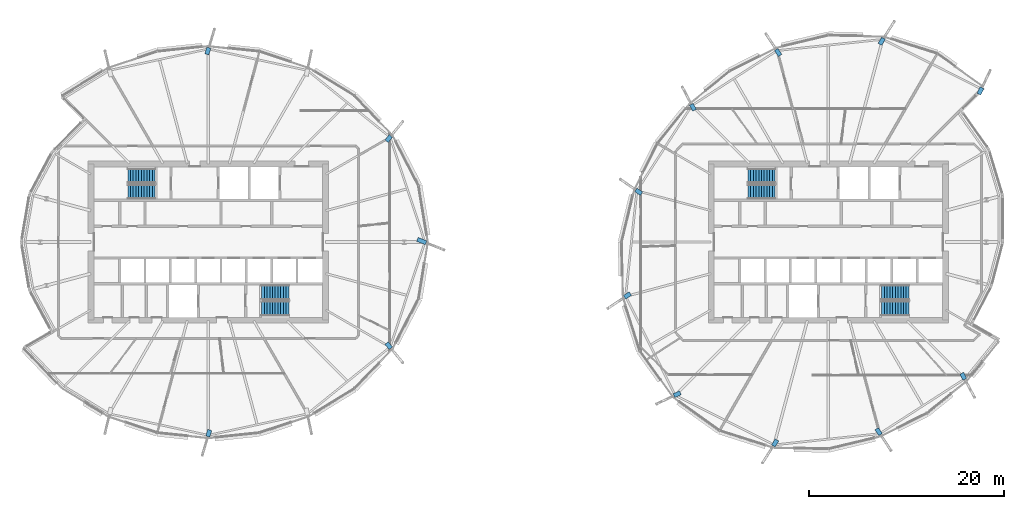
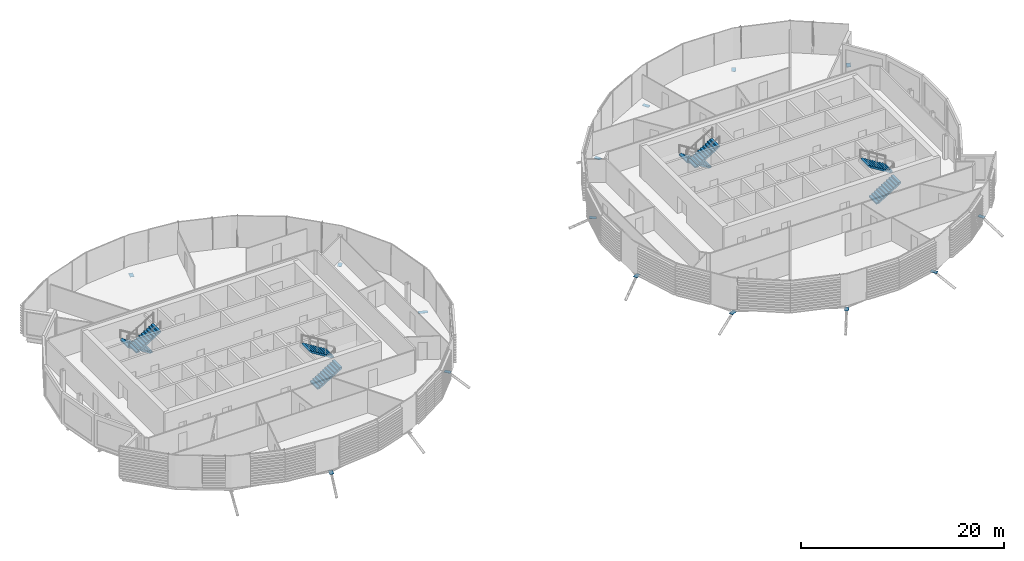
# One storey, part 25 of 37: 15 discrete accessories, 8 stair flights, 4 elements without a shape of their own.
"""IFC4 building model written with IfcOpenShell, lengths in metres."""

from ifc_helpers import new_model, si_unit, direction, frame, origin, origin_2d, place, context, subcontext, project, spatial, polyline, rectangle, outline, extrude, material, material_profile, profile_set, type_object, element, aggregate, save


model = new_model("IFC4")

# Units and contexts
model_context = context("Model", 3, precision=1e-05, world=origin(), true_north=direction((0.0, 1.0)))
body_context = subcontext(model_context, "Body", "Model", "MODEL_VIEW")
ifc_project = project(units=[si_unit("LENGTHUNIT", "METRE"), si_unit("AREAUNIT", "SQUARE_METRE"), si_unit("VOLUMEUNIT", "CUBIC_METRE"), si_unit("PLANEANGLEUNIT", "RADIAN"), si_unit("MASSUNIT", "GRAM", prefix="KILO")], contexts=[model_context])

# Site, building, storey
site_placement = place(None, origin())
site = spatial("IfcSite", under=ifc_project, at=site_placement, CompositionType="ELEMENT")
building_placement = place(site_placement, origin())
building = spatial("IfcBuilding", under=site, at=building_placement, Name="Rimbun Link Towers", CompositionType="ELEMENT")
storey_placement = place(building_placement, frame((0.0, 0.0, 162.699951171875)))
storey = spatial("IfcBuildingStorey", under=building, at=storey_placement, Name="L39", CompositionType="ELEMENT", Elevation=162.699951171875)

# Stair, stair flights
ifc_material_1 = material(Name="Concrete C40/50", Category="concrete")
stair_type = type_object("IfcStairType", Name="Exit stair 3800 rise", PredefinedType="HALF_TURN_STAIR", material=ifc_material_1)
stair_1_placement = place(storey_placement, origin())
stair_1 = element("IfcStair", 1, at=stair_1_placement, inside=storey, type_object=stair_type, Name="L39 EXIT STAIR A", PredefinedType="HALF_TURN_STAIR")
ifc_material_2 = material(Name="Concrete C40/50", Category="concrete")
stair_flight_type = type_object("IfcStairFlightType", Name="Exit stair flight 3800 rise", PredefinedType="STRAIGHT", material=ifc_material_2)
stair_flight_1_placement = place(storey_placement, frame((-37.199951171875, 6.800048828125, 0.0), z_axis=(0.0, 0.0, 1.0), x_axis=(-1.0, 0.0, 0.0)))
stair_flight_1 = element("IfcStairFlight", 2, at=stair_flight_1_placement, type_object=stair_flight_type, Name="ST1 flight 1", NumberOfRisers=11, NumberOfTreads=10, PredefinedType="STRAIGHT", RiserHeight=0.172727273, TreadLength=0.28, context=body_context, shape_type="SweptSolid", body=[
    extrude(outline(polyline([(0.0, 0.0), (0.0, 0.172607421875), (0.280029296875, 0.172607421875), (0.280029296875, 0.345458984375), (0.56005859375, 0.345458984375), (0.56005859375, 0.51806640625), (0.840087890625, 0.51806640625), (0.840087890625, 0.69091796875), (1.1201171875, 0.69091796875), (1.1201171875, 0.863525390625), (1.39990234375, 0.863525390625), (1.39990234375, 1.036376953125), (1.679931640625, 1.036376953125), (1.679931640625, 1.208984375), (1.9599609375, 1.208984375), (1.9599609375, 1.3818359375), (2.239990234375, 1.3818359375), (2.239990234375, 1.554443359375), (2.52001953125, 1.554443359375), (2.52001953125, 1.727294921875), (2.800048828125, 1.727294921875), (2.800048828125, 1.89990234375), (2.800048828125, 1.551025390625), (0.280029296875, 0.0), (0.0, 0.0)])), frame((0.0, 0.75, 0.0), z_axis=(0.0, -1.0, 0.0), x_axis=(1.0, 0.0, 0.0)), (0.0, 0.0, 1.0), 1.5),
])
stair_flight_2_placement = place(storey_placement, frame((-40.0, 5.14990234375, 1.900146484375), z_axis=(0.0, 0.0, 1.0), x_axis=(1.0, 0.0, 0.0)))
stair_flight_2 = element("IfcStairFlight", 3, at=stair_flight_2_placement, type_object=stair_flight_type, Name="ST1 flight 2", NumberOfRisers=11, NumberOfTreads=10, PredefinedType="STRAIGHT", RiserHeight=0.172727273, TreadLength=0.28, context=body_context, shape_type="SweptSolid", body=[
    extrude(outline(polyline([(0.0, 0.0), (0.0, 0.172607421875), (0.280029296875, 0.172607421875), (0.280029296875, 0.345458984375), (0.56005859375, 0.345458984375), (0.56005859375, 0.51806640625), (0.840087890625, 0.51806640625), (0.840087890625, 0.69091796875), (1.1201171875, 0.69091796875), (1.1201171875, 0.863525390625), (1.39990234375, 0.863525390625), (1.39990234375, 1.036376953125), (1.679931640625, 1.036376953125), (1.679931640625, 1.208984375), (1.9599609375, 1.208984375), (1.9599609375, 1.3818359375), (2.239990234375, 1.3818359375), (2.239990234375, 1.554443359375), (2.52001953125, 1.554443359375), (2.52001953125, 1.727294921875), (2.800048828125, 1.727294921875), (2.800048828125, 1.89990234375), (2.800048828125, 1.551025390625), (0.280029296875, 0.0), (0.0, 0.0)])), frame((0.0, 0.75, 0.0), z_axis=(0.0, -1.0, 0.0), x_axis=(1.0, 0.0, 0.0)), (0.0, 0.0, 1.0), 1.5),
])
aggregate(stair_1, [stair_flight_1, stair_flight_2])

stair_2_placement = place(storey_placement, origin())
stair_2 = element("IfcStair", 4, at=stair_2_placement, inside=storey, type_object=stair_type, Name="L39 EXIT STAIR B", PredefinedType="HALF_TURN_STAIR")
stair_flight_3_placement = place(storey_placement, frame((-26.300048828125, -6.800048828125, 0.0), z_axis=(0.0, 0.0, 1.0), x_axis=(1.0, 0.0, 0.0)))
stair_flight_3 = element("IfcStairFlight", 5, at=stair_flight_3_placement, type_object=stair_flight_type, Name="ST2 flight 1", NumberOfRisers=11, NumberOfTreads=10, PredefinedType="STRAIGHT", RiserHeight=0.172727273, TreadLength=0.28, context=body_context, shape_type="SweptSolid", body=[
    extrude(outline(polyline([(0.0, 0.0), (0.0, 0.172607421875), (0.280029296875, 0.172607421875), (0.280029296875, 0.345458984375), (0.56005859375, 0.345458984375), (0.56005859375, 0.51806640625), (0.840087890625, 0.51806640625), (0.840087890625, 0.69091796875), (1.1201171875, 0.69091796875), (1.1201171875, 0.863525390625), (1.39990234375, 0.863525390625), (1.39990234375, 1.036376953125), (1.679931640625, 1.036376953125), (1.679931640625, 1.208984375), (1.9599609375, 1.208984375), (1.9599609375, 1.3818359375), (2.239990234375, 1.3818359375), (2.239990234375, 1.554443359375), (2.52001953125, 1.554443359375), (2.52001953125, 1.727294921875), (2.800048828125, 1.727294921875), (2.800048828125, 1.89990234375), (2.800048828125, 1.551025390625), (0.280029296875, 0.0), (0.0, 0.0)])), frame((0.0, 0.75, 0.0), z_axis=(0.0, -1.0, 0.0), x_axis=(1.0, 0.0, 0.0)), (0.0, 0.0, 1.0), 1.5),
])
stair_flight_4_placement = place(storey_placement, frame((-23.5, -5.14990234375, 1.900146484375), z_axis=(0.0, 0.0, 1.0), x_axis=(-1.0, 0.0, 0.0)))
stair_flight_4 = element("IfcStairFlight", 6, at=stair_flight_4_placement, type_object=stair_flight_type, Name="ST2 flight 2", NumberOfRisers=11, NumberOfTreads=10, PredefinedType="STRAIGHT", RiserHeight=0.172727273, TreadLength=0.28, context=body_context, shape_type="SweptSolid", body=[
    extrude(outline(polyline([(0.0, 0.0), (0.0, 0.172607421875), (0.280029296875, 0.172607421875), (0.280029296875, 0.345458984375), (0.56005859375, 0.345458984375), (0.56005859375, 0.51806640625), (0.840087890625, 0.51806640625), (0.840087890625, 0.69091796875), (1.1201171875, 0.69091796875), (1.1201171875, 0.863525390625), (1.39990234375, 0.863525390625), (1.39990234375, 1.036376953125), (1.679931640625, 1.036376953125), (1.679931640625, 1.208984375), (1.9599609375, 1.208984375), (1.9599609375, 1.3818359375), (2.239990234375, 1.3818359375), (2.239990234375, 1.554443359375), (2.52001953125, 1.554443359375), (2.52001953125, 1.727294921875), (2.800048828125, 1.727294921875), (2.800048828125, 1.89990234375), (2.800048828125, 1.551025390625), (0.280029296875, 0.0), (0.0, 0.0)])), frame((0.0, 0.75, 0.0), z_axis=(0.0, -1.0, 0.0), x_axis=(1.0, 0.0, 0.0)), (0.0, 0.0, 1.0), 1.5),
])
aggregate(stair_2, [stair_flight_3, stair_flight_4])

stair_3_placement = place(storey_placement, origin())
stair_3 = element("IfcStair", 7, at=stair_3_placement, inside=storey, type_object=stair_type, Name="L39 EXIT STAIR A", PredefinedType="HALF_TURN_STAIR")
stair_flight_5_placement = place(storey_placement, frame((26.300048828125, 6.800048828125, 0.0), z_axis=(0.0, 0.0, 1.0), x_axis=(-1.0, 0.0, 0.0)))
stair_flight_5 = element("IfcStairFlight", 8, at=stair_flight_5_placement, type_object=stair_flight_type, Name="ST3 flight 1", NumberOfRisers=11, NumberOfTreads=10, PredefinedType="STRAIGHT", RiserHeight=0.172727273, TreadLength=0.28, context=body_context, shape_type="SweptSolid", body=[
    extrude(outline(polyline([(0.0, 0.0), (0.0, 0.172607421875), (0.280029296875, 0.172607421875), (0.280029296875, 0.345458984375), (0.56005859375, 0.345458984375), (0.56005859375, 0.51806640625), (0.840087890625, 0.51806640625), (0.840087890625, 0.69091796875), (1.1201171875, 0.69091796875), (1.1201171875, 0.863525390625), (1.39990234375, 0.863525390625), (1.39990234375, 1.036376953125), (1.679931640625, 1.036376953125), (1.679931640625, 1.208984375), (1.9599609375, 1.208984375), (1.9599609375, 1.3818359375), (2.239990234375, 1.3818359375), (2.239990234375, 1.554443359375), (2.52001953125, 1.554443359375), (2.52001953125, 1.727294921875), (2.800048828125, 1.727294921875), (2.800048828125, 1.89990234375), (2.800048828125, 1.551025390625), (0.280029296875, 0.0), (0.0, 0.0)])), frame((0.0, 0.75, 0.0), z_axis=(0.0, -1.0, 0.0), x_axis=(1.0, 0.0, 0.0)), (0.0, 0.0, 1.0), 1.5),
])
stair_flight_6_placement = place(storey_placement, frame((23.5, 5.14990234375, 1.900146484375), z_axis=(0.0, 0.0, 1.0), x_axis=(1.0, 0.0, 0.0)))
stair_flight_6 = element("IfcStairFlight", 9, at=stair_flight_6_placement, type_object=stair_flight_type, Name="ST3 flight 2", NumberOfRisers=11, NumberOfTreads=10, PredefinedType="STRAIGHT", RiserHeight=0.172727273, TreadLength=0.28, context=body_context, shape_type="SweptSolid", body=[
    extrude(outline(polyline([(0.0, 0.0), (0.0, 0.172607421875), (0.280029296875, 0.172607421875), (0.280029296875, 0.345458984375), (0.56005859375, 0.345458984375), (0.56005859375, 0.51806640625), (0.840087890625, 0.51806640625), (0.840087890625, 0.69091796875), (1.1201171875, 0.69091796875), (1.1201171875, 0.863525390625), (1.39990234375, 0.863525390625), (1.39990234375, 1.036376953125), (1.679931640625, 1.036376953125), (1.679931640625, 1.208984375), (1.9599609375, 1.208984375), (1.9599609375, 1.3818359375), (2.239990234375, 1.3818359375), (2.239990234375, 1.554443359375), (2.52001953125, 1.554443359375), (2.52001953125, 1.727294921875), (2.800048828125, 1.727294921875), (2.800048828125, 1.89990234375), (2.800048828125, 1.551025390625), (0.280029296875, 0.0), (0.0, 0.0)])), frame((0.0, 0.75, 0.0), z_axis=(0.0, -1.0, 0.0), x_axis=(1.0, 0.0, 0.0)), (0.0, 0.0, 1.0), 1.5),
])
aggregate(stair_3, [stair_flight_5, stair_flight_6])

stair_4_placement = place(storey_placement, origin())
stair_4 = element("IfcStair", 10, at=stair_4_placement, inside=storey, type_object=stair_type, Name="L39 EXIT STAIR B", PredefinedType="HALF_TURN_STAIR")
stair_flight_7_placement = place(storey_placement, frame((37.199951171875, -6.800048828125, 0.0), z_axis=(0.0, 0.0, 1.0), x_axis=(1.0, 0.0, 0.0)))
stair_flight_7 = element("IfcStairFlight", 11, at=stair_flight_7_placement, type_object=stair_flight_type, Name="ST4 flight 1", NumberOfRisers=11, NumberOfTreads=10, PredefinedType="STRAIGHT", RiserHeight=0.172727273, TreadLength=0.28, context=body_context, shape_type="SweptSolid", body=[
    extrude(outline(polyline([(0.0, 0.0), (0.0, 0.172607421875), (0.280029296875, 0.172607421875), (0.280029296875, 0.345458984375), (0.56005859375, 0.345458984375), (0.56005859375, 0.51806640625), (0.840087890625, 0.51806640625), (0.840087890625, 0.69091796875), (1.1201171875, 0.69091796875), (1.1201171875, 0.863525390625), (1.39990234375, 0.863525390625), (1.39990234375, 1.036376953125), (1.679931640625, 1.036376953125), (1.679931640625, 1.208984375), (1.9599609375, 1.208984375), (1.9599609375, 1.3818359375), (2.239990234375, 1.3818359375), (2.239990234375, 1.554443359375), (2.52001953125, 1.554443359375), (2.52001953125, 1.727294921875), (2.800048828125, 1.727294921875), (2.800048828125, 1.89990234375), (2.800048828125, 1.551025390625), (0.280029296875, 0.0), (0.0, 0.0)])), frame((0.0, 0.75, 0.0), z_axis=(0.0, -1.0, 0.0), x_axis=(1.0, 0.0, 0.0)), (0.0, 0.0, 1.0), 1.5),
])
stair_flight_8_placement = place(storey_placement, frame((40.0, -5.14990234375, 1.900146484375), z_axis=(0.0, 0.0, 1.0), x_axis=(-1.0, 0.0, 0.0)))
stair_flight_8 = element("IfcStairFlight", 12, at=stair_flight_8_placement, type_object=stair_flight_type, Name="ST4 flight 2", NumberOfRisers=11, NumberOfTreads=10, PredefinedType="STRAIGHT", RiserHeight=0.172727273, TreadLength=0.28, context=body_context, shape_type="SweptSolid", body=[
    extrude(outline(polyline([(0.0, 0.0), (0.0, 0.172607421875), (0.280029296875, 0.172607421875), (0.280029296875, 0.345458984375), (0.56005859375, 0.345458984375), (0.56005859375, 0.51806640625), (0.840087890625, 0.51806640625), (0.840087890625, 0.69091796875), (1.1201171875, 0.69091796875), (1.1201171875, 0.863525390625), (1.39990234375, 0.863525390625), (1.39990234375, 1.036376953125), (1.679931640625, 1.036376953125), (1.679931640625, 1.208984375), (1.9599609375, 1.208984375), (1.9599609375, 1.3818359375), (2.239990234375, 1.3818359375), (2.239990234375, 1.554443359375), (2.52001953125, 1.554443359375), (2.52001953125, 1.727294921875), (2.800048828125, 1.727294921875), (2.800048828125, 1.89990234375), (2.800048828125, 1.551025390625), (0.280029296875, 0.0), (0.0, 0.0)])), frame((0.0, 0.75, 0.0), z_axis=(0.0, -1.0, 0.0), x_axis=(1.0, 0.0, 0.0)), (0.0, 0.0, 1.0), 1.5),
])
aggregate(stair_4, [stair_flight_7, stair_flight_8])

# Discrete accessories
ifc_material_3 = material(Name="Steel S355J2H", Category="steel")
ifc_material_profile = material_profile(ifc_material_3, rectangle(XDim=0.43310546875, YDim=0.43310546875, at=origin_2d()), Name="PL 433x433")
ifc_profile_set = profile_set([ifc_material_profile], Name="Steel S355J2H")
discrete_accessory_type = type_object("IfcDiscreteAccessoryType", Name="Link head end plate 433X20", PredefinedType="BRACKET", material=ifc_profile_set)
discrete_accessory_1_placement = place(storey_placement, frame((0.0, 0.0, -1.08837890625)))
element("IfcDiscreteAccessory", 13, at=discrete_accessory_1_placement, inside=storey, type_object=discrete_accessory_type, Name="Link head end plate T1 L39 00", PredefinedType="BRACKET", context=body_context, shape_type="SweptSolid", body=[
    extrude(outline(polyline([(-10.42529296875, 0.085693359375), (-9.527099609375, -0.268310546875), (-9.368408203125, 0.134521484375), (-10.2666015625, 0.488525390625), (-10.42529296875, 0.085693359375)])), origin(), (0.0, 0.0, 1.0), 0.02001953125),
])
discrete_accessory_2_placement = place(storey_placement, frame((0.0, 0.0, -0.576416015625)))
element("IfcDiscreteAccessory", 14, at=discrete_accessory_2_placement, inside=storey, type_object=discrete_accessory_type, Name="Link head end plate T1 L39 02", PredefinedType="BRACKET", context=body_context, shape_type="SweptSolid", body=[
    extrude(outline(polyline([(-13.331298828125, 10.1953125), (-12.8916015625, 10.72802734375), (-13.2255859375, 11.003662109375), (-13.665283203125, 10.470947265625), (-13.331298828125, 10.1953125)])), origin(), (0.0, 0.0, 1.0), 0.02001953125),
])
discrete_accessory_3_placement = place(storey_placement, frame((0.0, 0.0, -0.7724609375)))
element("IfcDiscreteAccessory", 15, at=discrete_accessory_3_placement, inside=storey, type_object=discrete_accessory_type, Name="Link head end plate T1 L39 06", PredefinedType="BRACKET", context=body_context, shape_type="SweptSolid", body=[
    extrude(outline(polyline([(-31.691162109375, 19.171630859375), (-31.489990234375, 19.8447265625), (-31.90478515625, 19.96875), (-32.10595703125, 19.295654296875), (-31.691162109375, 19.171630859375)])), origin(), (0.0, 0.0, 1.0), 0.02001953125),
])
discrete_accessory_4_placement = place(storey_placement, frame((0.0, 0.0, -0.7724609375)))
element("IfcDiscreteAccessory", 16, at=discrete_accessory_4_placement, inside=storey, type_object=discrete_accessory_type, Name="Link head end plate T1 L39 18", PredefinedType="BRACKET", context=body_context, shape_type="SweptSolid", body=[
    extrude(outline(polyline([(-31.808837890625, -19.171630859375), (-32.010009765625, -19.8447265625), (-31.59521484375, -19.96875), (-31.39404296875, -19.295654296875), (-31.808837890625, -19.171630859375)])), origin(), (0.0, 0.0, 1.0), 0.02001953125),
])
discrete_accessory_5_placement = place(storey_placement, frame((0.0, 0.0, -0.576416015625)))
element("IfcDiscreteAccessory", 17, at=discrete_accessory_5_placement, inside=storey, type_object=discrete_accessory_type, Name="Link head end plate T1 L39 22", PredefinedType="BRACKET", context=body_context, shape_type="SweptSolid", body=[
    extrude(outline(polyline([(-13.665283203125, -10.470947265625), (-13.2255859375, -11.003662109375), (-12.8916015625, -10.72802734375), (-13.331298828125, -10.1953125), (-13.665283203125, -10.470947265625)])), origin(), (0.0, 0.0, 1.0), 0.02001953125),
])
discrete_accessory_6_placement = place(storey_placement, frame((0.0, 0.0, -0.7724609375)))
element("IfcDiscreteAccessory", 18, at=discrete_accessory_6_placement, inside=storey, type_object=discrete_accessory_type, Name="Link head end plate T2 L39 00", PredefinedType="BRACKET", context=body_context, shape_type="SweptSolid", body=[
    extrude(outline(polyline([(47.36279296875, 15.06396484375), (47.673828125, 15.722900390625), (47.282470703125, 15.907958984375), (46.97119140625, 15.2490234375), (47.36279296875, 15.06396484375)])), origin(), (0.0, 0.0, 1.0), 0.02001953125),
])
discrete_accessory_7_placement = place(storey_placement, frame((0.0, 0.0, -0.853515625)))
element("IfcDiscreteAccessory", 19, at=discrete_accessory_7_placement, inside=storey, type_object=discrete_accessory_type, Name="Link head end plate T2 L39 02", PredefinedType="BRACKET", context=body_context, shape_type="SweptSolid", body=[
    extrude(outline(polyline([(37.195068359375, 20.14453125), (37.581787109375, 20.75537109375), (37.2158203125, 20.987060546875), (36.829345703125, 20.376220703125), (37.195068359375, 20.14453125)])), origin(), (0.0, 0.0, 1.0), 0.02001953125),
])
discrete_accessory_8_placement = place(storey_placement, frame((0.0, 0.0, -0.7724609375)))
element("IfcDiscreteAccessory", 20, at=discrete_accessory_8_placement, inside=storey, type_object=discrete_accessory_type, Name="Link head end plate T2 L39 04", PredefinedType="BRACKET", context=body_context, shape_type="SweptSolid", body=[
    extrude(outline(polyline([(26.984619140625, 19.232177734375), (26.58837890625, 19.83642578125), (26.226318359375, 19.59912109375), (26.622314453125, 18.99462890625), (26.984619140625, 19.232177734375)])), origin(), (0.0, 0.0, 1.0), 0.02001953125),
])
discrete_accessory_9_placement = place(storey_placement, frame((0.0, 0.0, -0.623291015625)))
element("IfcDiscreteAccessory", 21, at=discrete_accessory_9_placement, inside=storey, type_object=discrete_accessory_type, Name="Link head end plate T2 L39 06", PredefinedType="BRACKET", context=body_context, shape_type="SweptSolid", body=[
    extrude(outline(polyline([(18.220947265625, 13.609130859375), (17.905029296875, 14.21533203125), (17.52099609375, 14.015380859375), (17.8369140625, 13.408935546875), (18.220947265625, 13.609130859375)])), origin(), (0.0, 0.0, 1.0), 0.02001953125),
])
discrete_accessory_10_placement = place(storey_placement, frame((0.0, 0.0, -0.576416015625)))
element("IfcDiscreteAccessory", 22, at=discrete_accessory_10_placement, inside=storey, type_object=discrete_accessory_type, Name="Link head end plate T2 L39 08", PredefinedType="BRACKET", context=body_context, shape_type="SweptSolid", body=[
    extrude(outline(polyline([(12.728759765625, 5.132568359375), (12.15576171875, 5.52490234375), (11.9111328125, 5.167724609375), (12.48388671875, 4.775390625), (12.728759765625, 5.132568359375)])), origin(), (0.0, 0.0, 1.0), 0.02001953125),
])
discrete_accessory_11_placement = place(storey_placement, frame((0.0, 0.0, -0.703125)))
element("IfcDiscreteAccessory", 23, at=discrete_accessory_11_placement, inside=storey, type_object=discrete_accessory_type, Name="Link head end plate T2 L39 10", PredefinedType="BRACKET", context=body_context, shape_type="SweptSolid", body=[
    extrude(outline(polyline([(11.348876953125, -5.08544921875), (10.760986328125, -5.470458984375), (10.998291015625, -5.832763671875), (11.586181640625, -5.44775390625), (11.348876953125, -5.08544921875)])), origin(), (0.0, 0.0, 1.0), 0.02001953125),
])
discrete_accessory_12_placement = place(storey_placement, frame((0.0, 0.0, -0.7724609375)))
element("IfcDiscreteAccessory", 24, at=discrete_accessory_12_placement, inside=storey, type_object=discrete_accessory_type, Name="Link head end plate T2 L39 12", PredefinedType="BRACKET", context=body_context, shape_type="SweptSolid", body=[
    extrude(outline(polyline([(16.5009765625, -15.22119140625), (15.842041015625, -15.532470703125), (16.027099609375, -15.923828125), (16.68603515625, -15.61279296875), (16.5009765625, -15.22119140625)])), origin(), (0.0, 0.0, 1.0), 0.02001953125),
])
discrete_accessory_13_placement = place(storey_placement, frame((0.0, 0.0, -0.853515625)))
element("IfcDiscreteAccessory", 25, at=discrete_accessory_13_placement, inside=storey, type_object=discrete_accessory_type, Name="Link head end plate T2 L39 14", PredefinedType="BRACKET", context=body_context, shape_type="SweptSolid", body=[
    extrude(outline(polyline([(26.304931640625, -20.14453125), (25.918212890625, -20.75537109375), (26.2841796875, -20.987060546875), (26.670654296875, -20.376220703125), (26.304931640625, -20.14453125)])), origin(), (0.0, 0.0, 1.0), 0.02001953125),
])
discrete_accessory_14_placement = place(storey_placement, frame((0.0, 0.0, -0.7724609375)))
element("IfcDiscreteAccessory", 26, at=discrete_accessory_14_placement, inside=storey, type_object=discrete_accessory_type, Name="Link head end plate T2 L39 16", PredefinedType="BRACKET", context=body_context, shape_type="SweptSolid", body=[
    extrude(outline(polyline([(36.515380859375, -19.232177734375), (36.91162109375, -19.83642578125), (37.273681640625, -19.59912109375), (36.877685546875, -18.99462890625), (36.515380859375, -19.232177734375)])), origin(), (0.0, 0.0, 1.0), 0.02001953125),
])
discrete_accessory_15_placement = place(storey_placement, frame((0.0, 0.0, -0.623291015625)))
element("IfcDiscreteAccessory", 27, at=discrete_accessory_15_placement, inside=storey, type_object=discrete_accessory_type, Name="Link head end plate T2 L39 18", PredefinedType="BRACKET", context=body_context, shape_type="SweptSolid", body=[
    extrude(outline(polyline([(45.205078125, -13.537109375), (45.533447265625, -14.15185546875), (45.915283203125, -13.94775390625), (45.5869140625, -13.333251953125), (45.205078125, -13.537109375)])), origin(), (0.0, 0.0, 1.0), 0.02001953125),
])

save(model, "model.ifc")
